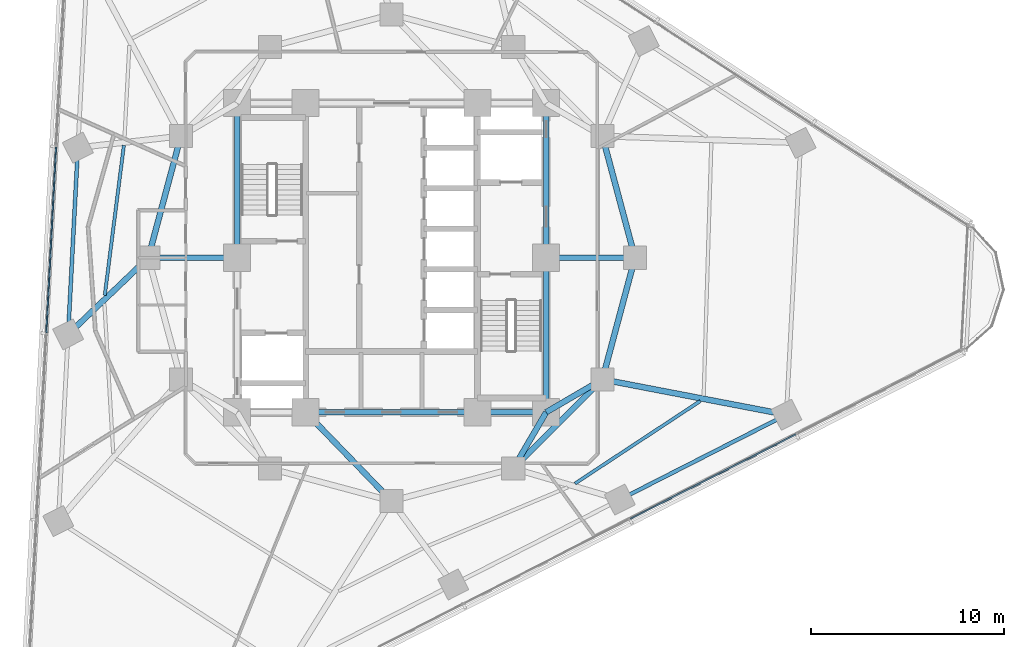
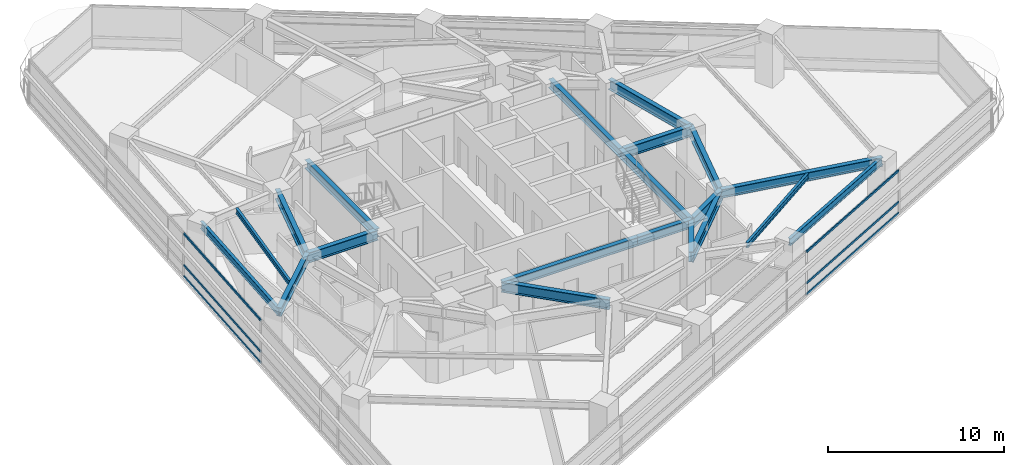
# One storey, part 3 of 14: 20 beams, 6 members, 2 elements without a shape of their own.
"""IFC4 building model written with IfcOpenShell, lengths in metres."""

import ifcopenshell
import ifcopenshell.guid

model = None  # the IFC model being written
_history = None  # IfcOwnerHistory: only IFC2X3 demands one
_inside = {}  # id of a spatial element -> (the spatial element, [elements in it])
_under = {}  # id of a project, library or spatial element -> (it, [spatial elements below it])
_declared = {}  # id of a project -> (the project, [libraries it declares])
_typed = {}  # id of a type object -> (the type object, [elements of that type])
_made_of = {}  # id of a material, layer set ... -> (it, [elements and type objects made of it])


def new_model(schema):
    """Start an empty IFC model of exactly this schema.

    Asked for "IFC4X3", IfcOpenShell would pick the latest addendum, in which some entities
    have other attributes; the version numbers below select the first issue.
    IFC2X3 requires an IfcOwnerHistory on every rooted entity: one is made here for all.
    """
    global model, _history
    if schema == "IFC4X3":
        model = ifcopenshell.file(schema_version=(4, 3, 0, 0))
    else:
        model = ifcopenshell.file(schema=schema)
    _inside.clear()
    _under.clear()
    _declared.clear()
    _typed.clear()
    _made_of.clear()
    _history = None
    if model.schema == "IFC2X3":
        org = make("IfcOrganization", Name="unknown")
        user = make(
            "IfcPersonAndOrganization",
            ThePerson=make("IfcPerson", FamilyName="unknown"),
            TheOrganization=org,
        )
        app = make(
            "IfcApplication",
            ApplicationDeveloper=org,
            Version="unknown",
            ApplicationFullName="unknown",
            ApplicationIdentifier="unknown",
        )
        _history = make(
            "IfcOwnerHistory",
            OwningUser=user,
            OwningApplication=app,
            ChangeAction="ADDED",
            CreationDate=0,
        )
    return model


def make(cls, **values):
    """One entity of the class cls with the attributes given. An attribute that is None is left unset."""
    return model.create_entity(
        cls, **{name: value for name, value in values.items() if value is not None}
    )


def rooted(cls, **values):
    """An entity with a GlobalId (a new one), such as an element, a storey or a relation."""
    return make(cls, GlobalId=ifcopenshell.guid.new(), OwnerHistory=_history, **values)


def si_unit(unit_type, name, prefix=None):
    """IfcSIUnit, for example si_unit("LENGTHUNIT", "METRE", prefix="MILLI")."""
    return make("IfcSIUnit", UnitType=unit_type, Prefix=prefix, Name=name)


def assignment(units):
    """IfcUnitAssignment: the units of a project."""
    return None if units is None else make("IfcUnitAssignment", Units=units)


def point(xyz):
    """IfcCartesianPoint."""
    return None if xyz is None else make("IfcCartesianPoint", Coordinates=xyz)


def direction(xyz):
    """IfcDirection."""
    return None if xyz is None else make("IfcDirection", DirectionRatios=xyz)


def frame(location, z_axis=None, x_axis=None):
    """IfcAxis2Placement3D, a coordinate frame: its origin and axes. An axis left out is left unset."""
    return make(
        "IfcAxis2Placement3D",
        Location=point(location),
        Axis=direction(z_axis),
        RefDirection=direction(x_axis),
    )


def frame_2d(location, x_axis=None):
    """IfcAxis2Placement2D, a coordinate frame in the plane: its origin and x axis."""
    return make(
        "IfcAxis2Placement2D", Location=point(location), RefDirection=direction(x_axis)
    )


def origin():
    """The frame at (0, 0, 0) with its axes left unset."""
    return frame((0.0, 0.0, 0.0))


def origin_2d():
    """The frame at (0, 0) in the plane with its x axis left unset."""
    return frame_2d((0.0, 0.0))


def place(relative_to, where):
    """IfcLocalPlacement: puts the frame where relative to a parent placement (None: the world)."""
    return make(
        "IfcLocalPlacement", PlacementRelTo=relative_to, RelativePlacement=where
    )


def context(
    kind, dimensions, precision=None, world=None, true_north=None, identifier=None
):
    """IfcGeometricRepresentationContext, for example the 3D "Model" context."""
    return make(
        "IfcGeometricRepresentationContext",
        ContextIdentifier=identifier,
        ContextType=kind,
        CoordinateSpaceDimension=dimensions,
        Precision=precision,
        WorldCoordinateSystem=world,
        TrueNorth=true_north,
    )


def subcontext(parent, identifier, kind, view, scale=None):
    """IfcGeometricRepresentationSubContext, for example "Body" below "Model"."""
    return make(
        "IfcGeometricRepresentationSubContext",
        ContextIdentifier=identifier,
        ContextType=kind,
        ParentContext=parent,
        TargetScale=scale,
        TargetView=view,
    )


def project(units=None, contexts=None):
    """IfcProject with its units and contexts."""
    return rooted(
        "IfcProject",
        Name="project",
        RepresentationContexts=contexts,
        UnitsInContext=assignment(units),
    )


def spatial(cls, under=None, at=None, **own):
    """A site, building, storey or space (cls), placed at a placement, below another one or the project."""
    s = rooted(cls, ObjectPlacement=at, **own)
    if under is not None:
        _under.setdefault(under.id(), (under, []))[1].append(s)
    return s


def profile(cls, at=None, kind="AREA", **sizes):
    """A parametric profile (cls). Its sizes go by their IFC names, for example OverallWidth=200.0."""
    return make(cls, ProfileType=kind, Position=at, **sizes)


def rectangle(**sizes):
    """IfcRectangleProfileDef."""
    return profile("IfcRectangleProfileDef", **sizes)


def i_section(**sizes):
    """IfcIShapeProfileDef."""
    return profile("IfcIShapeProfileDef", **sizes)


def extrude(swept, where, along, depth):
    """IfcExtrudedAreaSolid: the profile swept, set in the frame where, extruded along a direction by depth."""
    return make(
        "IfcExtrudedAreaSolid",
        SweptArea=swept,
        Position=where,
        ExtrudedDirection=direction(along),
        Depth=depth,
    )


def shape(context_of_items, identifier, shape_type, items):
    """IfcShapeRepresentation: the items that make up one representation, for example the "Body"."""
    return make(
        "IfcShapeRepresentation",
        ContextOfItems=context_of_items,
        RepresentationIdentifier=identifier,
        RepresentationType=shape_type,
        Items=items,
    )


def material(Name=None, Category=None):
    """IfcMaterial."""
    return make("IfcMaterial", Name=Name, Category=Category)


def layer(
    of_material, thickness, ventilated=None, Name=None, Category=None, Priority=None
):
    """IfcMaterialLayer: one layer of a wall or slab, of a material (None: an air gap)."""
    return make(
        "IfcMaterialLayer",
        Material=of_material,
        LayerThickness=thickness,
        IsVentilated=ventilated,
        Name=Name,
        Category=Category,
        Priority=Priority,
    )


def layer_set(layers, Name=None):
    """IfcMaterialLayerSet."""
    return make("IfcMaterialLayerSet", MaterialLayers=layers, LayerSetName=Name)


def material_profile(
    of_material, cross_section, Name=None, Category=None, Priority=None
):
    """IfcMaterialProfile: a cross section and its material."""
    return make(
        "IfcMaterialProfile",
        Name=Name,
        Material=of_material,
        Profile=cross_section,
        Priority=Priority,
        Category=Category,
    )


def profile_set(profiles, Name=None, composite=None):
    """IfcMaterialProfileSet."""
    return make(
        "IfcMaterialProfileSet",
        Name=Name,
        MaterialProfiles=profiles,
        CompositeProfile=composite,
    )


def made_of(thing, what):
    """Note that an element or type object is made of a material, layer set ...; save() writes the relation."""
    if what is not None:
        _made_of.setdefault(what.id(), (what, []))[1].append(thing)
    return thing


def type_object(cls, material=None, **own):
    """A type object (cls), such as IfcWallType, which elements share."""
    return made_of(rooted(cls, **own), material)


def element(
    cls,
    number,
    at=None,
    inside=None,
    cuts=None,
    type_object=None,
    material=None,
    context=None,
    identifier="Body",
    shape_type=None,
    held_by="IfcProductDefinitionShape",
    body=None,
    shapes=None,
    **own,
):
    """One element of the class cls, such as IfcWall. Its Tag is "e" and its number.

    at: its placement. inside: the storey or other place that contains it. cuts: it is an
    opening in that element (IfcRelVoidsElement). A single representation is given by context,
    identifier, shape_type and body (its items); several are given by shapes. held_by: the class
    of the entity that holds the representations. save() writes the other relations.
    """
    e = rooted(cls, Tag="e%d" % number, ObjectPlacement=at, **own)
    if body is not None:
        shapes = [shape(context, identifier, shape_type, body)]
    if shapes is not None:
        e.Representation = make(held_by, Representations=shapes)
    if inside is not None:
        _inside.setdefault(inside.id(), (inside, []))[1].append(e)
    if cuts is not None:
        rooted(
            "IfcRelVoidsElement", RelatingBuildingElement=cuts, RelatedOpeningElement=e
        )
    if type_object is not None:
        _typed.setdefault(type_object.id(), (type_object, []))[1].append(e)
    return made_of(e, material)


def aggregate(whole, parts):
    """IfcRelAggregates: a whole, such as a stair, and the parts it consists of."""
    return rooted("IfcRelAggregates", RelatingObject=whole, RelatedObjects=parts)


def save(model, path):
    """Write the relations noted so far, then the file.

    IfcRelAggregates (storeys below a building ...), IfcRelContainedInSpatialStructure (elements
    in a storey), IfcRelDefinesByType, IfcRelAssociatesMaterial and IfcRelDeclares: one each for
    every whole, place, type object, material and project.
    """
    for whole, parts in _under.values():
        aggregate(whole, parts)
    for where, things in _inside.values():
        rooted(
            "IfcRelContainedInSpatialStructure",
            RelatedElements=things,
            RelatingStructure=where,
        )
    for kind, things in _typed.values():
        rooted("IfcRelDefinesByType", RelatedObjects=things, RelatingType=kind)
    for what, things in _made_of.values():
        rooted("IfcRelAssociatesMaterial", RelatedObjects=things, RelatingMaterial=what)
    for by, libraries in _declared.values():
        rooted("IfcRelDeclares", RelatingContext=by, RelatedDefinitions=libraries)
    model.write(path)


model = new_model("IFC4")

# Units and contexts
model_context = context("Model", 3, precision=1e-05, world=origin(), true_north=direction((0.0, 1.0)))
body_context = subcontext(model_context, "Body", "Model", "MODEL_VIEW")
ifc_project = project(units=[si_unit("LENGTHUNIT", "METRE"), si_unit("AREAUNIT", "SQUARE_METRE"), si_unit("VOLUMEUNIT", "CUBIC_METRE"), si_unit("PLANEANGLEUNIT", "RADIAN"), si_unit("MASSUNIT", "GRAM", prefix="KILO")], contexts=[model_context])

# Site, building, storey
site_placement = place(None, origin())
site = spatial("IfcSite", under=ifc_project, at=site_placement, CompositionType="ELEMENT")
building_placement = place(site_placement, origin())
building = spatial("IfcBuilding", under=site, at=building_placement, Name="Terralouvre Media Tower", CompositionType="ELEMENT")
storey_placement = place(building_placement, frame((0.0, 0.0, 138.39990234375)))
storey = spatial("IfcBuildingStorey", under=building, at=storey_placement, Name="L35", CompositionType="ELEMENT", Elevation=138.39990234375)

# Beams
ifc_material_1 = material(Name="Structural steel S355J2", Category="steel")
ifc_material_profile_1 = material_profile(ifc_material_1, i_section(OverallWidth=0.169921875, OverallDepth=0.360107421875, WebThickness=0.008056640625, FlangeThickness=0.0126953125, at=origin_2d()), Name="IPE 360")
ifc_profile_set_1 = profile_set([ifc_material_profile_1], Name="Structural steel S355J2")
beam_type_1 = type_object("IfcBeamType", Name="Composite Floor Joist J-IPE360 (IPE 360)", PredefinedType="JOIST", material=ifc_profile_set_1)
beam_1_placement = place(storey_placement, frame((9.494873046875, -11.69140625, 3.320068359375), z_axis=(0.835078132026, 0.550131360142, 0.0), x_axis=(-0.550131360142, 0.835078132026, 0.0)))
element("IfcBeam", 1, at=beam_1_placement, inside=storey, type_object=beam_type_1, Name="L35 Framing Beam JT-L35-05", PredefinedType="JOIST", context=body_context, shape_type="SweptSolid", body=[
    extrude(i_section(OverallWidth=0.169921875, OverallDepth=0.360107421875, WebThickness=0.008056640625, FlangeThickness=0.0126953125, at=origin_2d()), origin(), (0.0, 0.0, 1.0), 7.75830078125),
])
beam_2_placement = place(storey_placement, frame((-13.864990234375, 5.81787109375, 3.320068359375), z_axis=(-0.126325695796, -0.991988819787, 0.0), x_axis=(0.991988819787, -0.126325695796, 0.0)))
element("IfcBeam", 2, at=beam_2_placement, inside=storey, type_object=beam_type_1, Name="L35 Framing Beam JT-L35-12", PredefinedType="JOIST", context=body_context, shape_type="SweptSolid", body=[
    extrude(i_section(OverallWidth=0.169921875, OverallDepth=0.360107421875, WebThickness=0.008056640625, FlangeThickness=0.0126953125, at=origin_2d()), origin(), (0.0, 0.0, 1.0), 7.8291015625),
])

# Curtain wall, members
ifc_material_2 = material(Name="Low-iron laminated double glazing with solar-control coating", Category="glass")
ifc_layer = layer(ifc_material_2, 0.1650390625, Name="Production Studio Tower Curtain Wall CW-03")
ifc_layer_set = layer_set([ifc_layer], Name="Low-iron laminated double glazing with solar-control coating")
curtain_wall_type = type_object("IfcCurtainWallType", Name="Production Studio Tower Curtain Wall CW-03", PredefinedType="NOTDEFINED", material=ifc_layer_set)
curtain_wall_1_placement = place(storey_placement, origin())
curtain_wall_1 = element("IfcCurtainWall", 3, at=curtain_wall_1_placement, inside=storey, type_object=curtain_wall_type, Name="L35 Facade Curtain Wall F0", PredefinedType="NOTDEFINED")
ifc_material_3 = material(Name="Anodised extruded aluminium 6063-T6", Category="aluminium")
ifc_material_profile_2 = material_profile(ifc_material_3, rectangle(XDim=0.074951171875, YDim=0.14990234375, at=origin_2d()), Name="ALU 75x150")
ifc_profile_set_2 = profile_set([ifc_material_profile_2], Name="Anodised extruded aluminium 6063-T6")
member_type = type_object("IfcMemberType", Name="Curtain-Wall Horizontal Transom TR-150", PredefinedType="USERDEFINED", material=ifc_profile_set_2)
member_1_placement = place(storey_placement, frame((12.359619140625, -13.513671875, 0.03759765625), z_axis=(0.891005548508, 0.453992414615, 0.0), x_axis=(-0.453992414615, 0.891005548508, 0.0)))
member_1 = element("IfcMember", 4, at=member_1_placement, type_object=member_type, Name="CW-03 transom 4.1", ObjectType="TRANSOM", PredefinedType="USERDEFINED", context=body_context, shape_type="SweptSolid", body=[
    extrude(rectangle(XDim=0.074951171875, YDim=0.14990234375, at=origin_2d()), origin(), (0.0, 0.0, 1.0), 9.60498046875),
])
member_2_placement = place(storey_placement, frame((12.359619140625, -13.513671875, 0.800048828125), z_axis=(0.891005548508, 0.453992414615, 0.0), x_axis=(-0.453992414615, 0.891005548508, 0.0)))
member_2 = element("IfcMember", 5, at=member_2_placement, type_object=member_type, Name="CW-03 transom 4.2", ObjectType="TRANSOM", PredefinedType="USERDEFINED", context=body_context, shape_type="SweptSolid", body=[
    extrude(rectangle(XDim=0.074951171875, YDim=0.14990234375, at=origin_2d()), origin(), (0.0, 0.0, 1.0), 9.60498046875),
])
member_3_placement = place(storey_placement, frame((12.359619140625, -13.513671875, 2.962646484375), z_axis=(0.891005548508, 0.453992414615, 0.0), x_axis=(-0.453992414615, 0.891005548508, 0.0)))
member_3 = element("IfcMember", 6, at=member_3_placement, type_object=member_type, Name="CW-03 transom 4.3", ObjectType="TRANSOM", PredefinedType="USERDEFINED", context=body_context, shape_type="SweptSolid", body=[
    extrude(rectangle(XDim=0.074951171875, YDim=0.14990234375, at=origin_2d()), origin(), (0.0, 0.0, 1.0), 9.60498046875),
])
aggregate(curtain_wall_1, [member_1, member_2, member_3])

curtain_wall_2_placement = place(storey_placement, origin())
curtain_wall_2 = element("IfcCurtainWall", 7, at=curtain_wall_2_placement, inside=storey, type_object=curtain_wall_type, Name="L35 Facade Curtain Wall F2", PredefinedType="NOTDEFINED")
member_4_placement = place(storey_placement, frame((-17.37646484375, 5.7197265625, 0.03759765625), z_axis=(-0.052336036535, -0.998629530547, 0.0), x_axis=(0.998629530547, -0.052336036535, 0.0)))
member_4 = element("IfcMember", 8, at=member_4_placement, type_object=member_type, Name="CW-03 transom 3.1", ObjectType="TRANSOM", PredefinedType="USERDEFINED", context=body_context, shape_type="SweptSolid", body=[
    extrude(rectangle(XDim=0.074951171875, YDim=0.14990234375, at=origin_2d()), origin(), (0.0, 0.0, 1.0), 9.60498046875),
])
member_5_placement = place(storey_placement, frame((-17.37646484375, 5.7197265625, 0.800048828125), z_axis=(-0.052336036535, -0.998629530547, 0.0), x_axis=(0.998629530547, -0.052336036535, 0.0)))
member_5 = element("IfcMember", 9, at=member_5_placement, type_object=member_type, Name="CW-03 transom 3.2", ObjectType="TRANSOM", PredefinedType="USERDEFINED", context=body_context, shape_type="SweptSolid", body=[
    extrude(rectangle(XDim=0.074951171875, YDim=0.14990234375, at=origin_2d()), origin(), (0.0, 0.0, 1.0), 9.60498046875),
])
member_6_placement = place(storey_placement, frame((-17.37646484375, 5.7197265625, 2.962646484375), z_axis=(-0.052336036535, -0.998629530547, 0.0), x_axis=(0.998629530547, -0.052336036535, 0.0)))
member_6 = element("IfcMember", 10, at=member_6_placement, type_object=member_type, Name="CW-03 transom 3.3", ObjectType="TRANSOM", PredefinedType="USERDEFINED", context=body_context, shape_type="SweptSolid", body=[
    extrude(rectangle(XDim=0.074951171875, YDim=0.14990234375, at=origin_2d()), origin(), (0.0, 0.0, 1.0), 9.60498046875),
])
aggregate(curtain_wall_2, [member_4, member_5, member_6])

# Beams
ifc_material_4 = material(Name="Structural steel S355J2", Category="steel")
ifc_material_profile_3 = material_profile(ifc_material_4, i_section(OverallWidth=0.199951171875, OverallDepth=0.5, WebThickness=0.01025390625, FlangeThickness=0.01611328125, at=origin_2d()), Name="IPE 500")
ifc_profile_set_3 = profile_set([ifc_material_profile_3], Name="Structural steel S355J2")
beam_type_2 = type_object("IfcBeamType", Name="Perimeter Spandrel Beam SPB-500 (IPE 500)", PredefinedType="SPANDREL", material=ifc_profile_set_3)
for number, where, z_axis, x_axis, name in (
    (11, (11.813232421875, -12.523681640625, 3.25), (0.891011779054, 0.453980186338, 0.0), (-0.453980186338, 0.891011779054, 0.0), "L35 Framing Beam BM-L35-PR05"),
    (12, (-16.245849609375, 5.697998046875, 3.25), (-0.052333792648, -0.998629648141, 0.0), (0.998629648141, -0.052333792648, 0.0), "L35 Framing Beam BM-L35-PR12"),
):
    element("IfcBeam", number, at=place(storey_placement, frame(where, z_axis=z_axis, x_axis=x_axis)), inside=storey, type_object=beam_type_2, Name=name, PredefinedType="SPANDREL", context=body_context, shape_type="SweptSolid", body=[
        extrude(i_section(OverallWidth=0.199951171875, OverallDepth=0.5, WebThickness=0.01025390625, FlangeThickness=0.01611328125, at=origin_2d()), origin(), (0.0, 0.0, 1.0), 9.679931640625),
    ])
ifc_material_5 = material(Name="Structural steel S460M", Category="steel")
ifc_material_profile_4 = material_profile(ifc_material_5, i_section(OverallWidth=0.300048828125, OverallDepth=0.60009765625, WebThickness=0.015380859375, FlangeThickness=0.030029296875, at=origin_2d()), Name="HEB 600")
ifc_profile_set_4 = profile_set([ifc_material_profile_4], Name="Structural steel S460M")
beam_type_3 = type_object("IfcBeamType", Name="Primary Floor Girder B-HEB600 (HEB 600)", PredefinedType="BEAM", material=ifc_profile_set_4)
beam_3_placement = place(storey_placement, frame((-4.449951171875, -8.0, 3.2001953125), z_axis=(1.0, 0.0, 0.0), x_axis=(0.0, 1.0, 0.0)))
element("IfcBeam", 13, at=beam_3_placement, inside=storey, type_object=beam_type_3, Name="L35 Framing Beam BM-L35-CPR02", PredefinedType="BEAM", context=body_context, shape_type="SweptSolid", body=[
    extrude(i_section(OverallWidth=0.300048828125, OverallDepth=0.60009765625, WebThickness=0.015380859375, FlangeThickness=0.030029296875, at=origin_2d()), origin(), (0.0, 0.0, 1.0), 8.89990234375),
])
beam_4_placement = place(storey_placement, frame((4.449951171875, -8.0, 3.2001953125), z_axis=(1.0, 0.0, 0.0), x_axis=(0.0, 1.0, 0.0)))
element("IfcBeam", 14, at=beam_4_placement, inside=storey, type_object=beam_type_3, Name="L35 Framing Beam BM-L35-CPR03", PredefinedType="BEAM", context=body_context, shape_type="SweptSolid", body=[
    extrude(i_section(OverallWidth=0.300048828125, OverallDepth=0.60009765625, WebThickness=0.015380859375, FlangeThickness=0.030029296875, at=origin_2d()), origin(), (0.0, 0.0, 1.0), 3.550048828125),
])
for number, where, z_axis, x_axis, name in (
    (15, (8.0, -8.0, 3.2001953125), (0.0, 1.0, 0.0), (-1.0, 0.0, 0.0), "L35 Framing Beam BM-L35-CPR04"),
    (16, (8.0, 0.0, 3.2001953125), (0.0, 1.0, 0.0), (-1.0, 0.0, 0.0), "L35 Framing Beam BM-L35-CPR05"),
    (17, (-8.0, 8.0, 3.2001953125), (0.0, -1.0, 0.0), (1.0, 0.0, 0.0), "L35 Framing Beam BM-L35-CPR09"),
):
    element("IfcBeam", number, at=place(storey_placement, frame(where, z_axis=z_axis, x_axis=x_axis)), inside=storey, type_object=beam_type_3, Name=name, PredefinedType="BEAM", context=body_context, shape_type="SweptSolid", body=[
        extrude(i_section(OverallWidth=0.300048828125, OverallDepth=0.60009765625, WebThickness=0.015380859375, FlangeThickness=0.030029296875, at=origin_2d()), origin(), (0.0, 0.0, 1.0), 8.0),
    ])
beam_5_placement = place(storey_placement, frame((-12.60009765625, 0.0, 3.2001953125), z_axis=(-0.722907652864, -0.690944661627, 0.0), x_axis=(0.690944661627, -0.722907652864, 0.0)))
element("IfcBeam", 18, at=beam_5_placement, inside=storey, type_object=beam_type_3, Name="L35 Framing Beam BM-L35-RD01", PredefinedType="BEAM", context=body_context, shape_type="SweptSolid", body=[
    extrude(i_section(OverallWidth=0.300048828125, OverallDepth=0.60009765625, WebThickness=0.015380859375, FlangeThickness=0.030029296875, at=origin_2d()), origin(), (0.0, 0.0, 1.0), 5.743896484375),
])
beam_6_placement = place(storey_placement, frame((10.911865234375, -6.300048828125, 3.2001953125), z_axis=(0.982061695862, -0.188559872511, 0.0), x_axis=(0.188559872511, 0.982061695862, 0.0)))
element("IfcBeam", 19, at=beam_6_placement, inside=storey, type_object=beam_type_3, Name="L35 Framing Beam BM-L35-RD06", PredefinedType="BEAM", context=body_context, shape_type="SweptSolid", body=[
    extrude(i_section(OverallWidth=0.300048828125, OverallDepth=0.60009765625, WebThickness=0.015380859375, FlangeThickness=0.030029296875, at=origin_2d()), origin(), (0.0, 0.0, 1.0), 9.700439453125),
])
ifc_material_6 = material(Name="Structural steel S460M", Category="steel")
ifc_material_profile_5 = material_profile(ifc_material_6, i_section(OverallWidth=0.300048828125, OverallDepth=0.699951171875, WebThickness=0.01708984375, FlangeThickness=0.031982421875, at=origin_2d()), Name="HEB 700")
ifc_profile_set_5 = profile_set([ifc_material_profile_5], Name="Structural steel S460M")
beam_type_4 = type_object("IfcBeamType", Name="Primary Floor Girder B-HEB700 (HEB 700)", PredefinedType="BEAM", material=ifc_profile_set_5)
beam_7_placement = place(storey_placement, frame((6.300048828125, -10.911865234375, 3.150146484375), z_axis=(0.707106781187, 0.707106781187, 0.0), x_axis=(-0.707106781187, 0.707106781187, 0.0)))
element("IfcBeam", 20, at=beam_7_placement, inside=storey, type_object=beam_type_4, Name="L35 Framing Beam BM-L35-MR04", PredefinedType="BEAM", context=body_context, shape_type="SweptSolid", body=[
    extrude(i_section(OverallWidth=0.300048828125, OverallDepth=0.699951171875, WebThickness=0.01708984375, FlangeThickness=0.031982421875, at=origin_2d()), origin(), (0.0, 0.0, 1.0), 6.52197265625),
])
for number, where, z_axis, x_axis, name in (
    (21, (10.911865234375, -6.300048828125, 3.150146484375), (0.258838989821, 0.965920481897, 0.0), (-0.965920481897, 0.258838989821, 0.0), "L35 Framing Beam BM-L35-MR05"),
    (22, (12.60009765625, 0.0, 3.150146484375), (-0.258838989821, 0.965920481897, 0.0), (-0.965920481897, -0.258838989821, 0.0), "L35 Framing Beam BM-L35-MR06"),
    (23, (-10.911865234375, 6.300048828125, 3.150146484375), (-0.258838989821, -0.965920481897, 0.0), (0.965920481897, -0.258838989821, 0.0), "L35 Framing Beam BM-L35-MR11"),
):
    element("IfcBeam", number, at=place(storey_placement, frame(where, z_axis=z_axis, x_axis=x_axis)), inside=storey, type_object=beam_type_4, Name=name, PredefinedType="BEAM", context=body_context, shape_type="SweptSolid", body=[
        extrude(i_section(OverallWidth=0.300048828125, OverallDepth=0.699951171875, WebThickness=0.01708984375, FlangeThickness=0.031982421875, at=origin_2d()), origin(), (0.0, 0.0, 1.0), 6.522216796875),
    ])
beam_8_placement = place(storey_placement, frame((-4.449951171875, -8.0, 3.150146484375), z_axis=(0.695279715726, -0.718739255155, 0.0), x_axis=(0.718739255155, 0.695279715726, 0.0)))
element("IfcBeam", 24, at=beam_8_placement, inside=storey, type_object=beam_type_4, Name="L35 Framing Beam BM-L35-CM03", PredefinedType="BEAM", context=body_context, shape_type="SweptSolid", body=[
    extrude(i_section(OverallWidth=0.300048828125, OverallDepth=0.699951171875, WebThickness=0.01708984375, FlangeThickness=0.031982421875, at=origin_2d()), origin(), (0.0, 0.0, 1.0), 6.400146484375),
])
for number, where, z_axis, x_axis, name in (
    (25, (8.0, -8.0, 3.150146484375), (-0.504172629717, -0.863602894532, 0.0), (0.863602894532, -0.504172629717, 0.0), "L35 Framing Beam BM-L35-CM04"),
    (26, (8.0, -8.0, 3.150146484375), (0.863602894532, 0.504172629717, 0.0), (-0.504172629717, 0.863602894532, 0.0), "L35 Framing Beam BM-L35-CM05"),
):
    element("IfcBeam", number, at=place(storey_placement, frame(where, z_axis=z_axis, x_axis=x_axis)), inside=storey, type_object=beam_type_4, Name=name, PredefinedType="BEAM", context=body_context, shape_type="SweptSolid", body=[
        extrude(i_section(OverallWidth=0.300048828125, OverallDepth=0.699951171875, WebThickness=0.01708984375, FlangeThickness=0.031982421875, at=origin_2d()), origin(), (0.0, 0.0, 1.0), 3.371826171875),
    ])
for number, where, z_axis, x_axis, name in (
    (27, (8.0, 0.0, 3.150146484375), (1.0, 0.0, 0.0), (0.0, 1.0, 0.0), "L35 Framing Beam BM-L35-CM06"),
    (28, (-8.0, 0.0, 3.150146484375), (-1.0, 0.0, 0.0), (0.0, -1.0, 0.0), "L35 Framing Beam BM-L35-CM12"),
):
    element("IfcBeam", number, at=place(storey_placement, frame(where, z_axis=z_axis, x_axis=x_axis)), inside=storey, type_object=beam_type_4, Name=name, PredefinedType="BEAM", context=body_context, shape_type="SweptSolid", body=[
        extrude(i_section(OverallWidth=0.300048828125, OverallDepth=0.699951171875, WebThickness=0.01708984375, FlangeThickness=0.031982421875, at=origin_2d()), origin(), (0.0, 0.0, 1.0), 4.60009765625),
    ])

save(model, "model.ifc")
